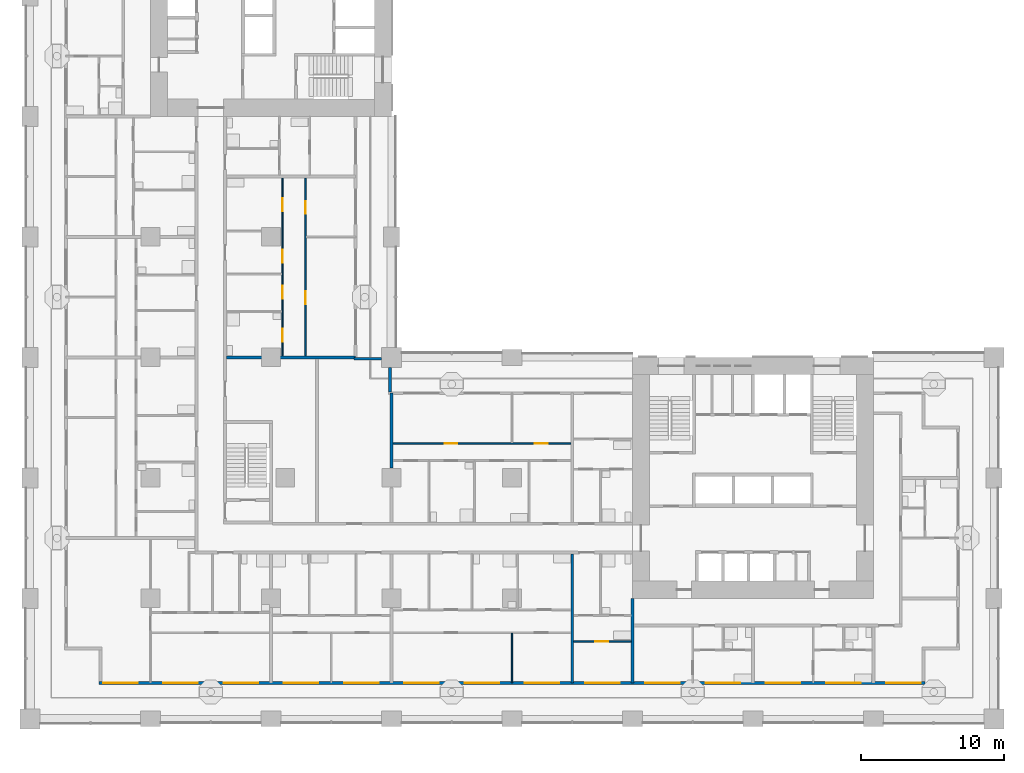
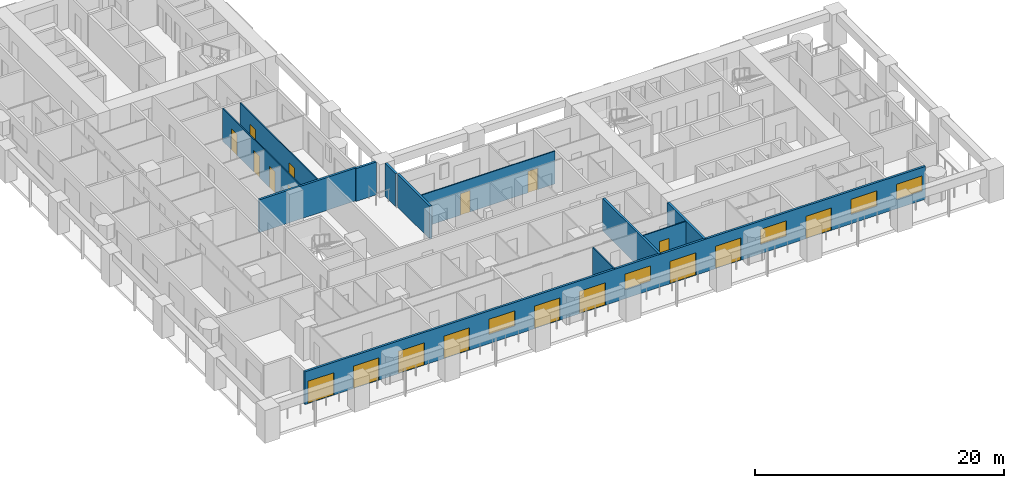
# One storey, part 5 of 22: 18 doors, 12 walls, 5 windows, 23 openings.
"""IFC4 building model written with IfcOpenShell, lengths in metres."""

import ifcopenshell
import ifcopenshell.guid

model = None  # the IFC model being written
_history = None  # IfcOwnerHistory: only IFC2X3 demands one
_inside = {}  # id of a spatial element -> (the spatial element, [elements in it])
_under = {}  # id of a project, library or spatial element -> (it, [spatial elements below it])
_declared = {}  # id of a project -> (the project, [libraries it declares])
_typed = {}  # id of a type object -> (the type object, [elements of that type])
_made_of = {}  # id of a material, layer set ... -> (it, [elements and type objects made of it])


def new_model(schema):
    """Start an empty IFC model of exactly this schema.

    Asked for "IFC4X3", IfcOpenShell would pick the latest addendum, in which some entities
    have other attributes; the version numbers below select the first issue.
    IFC2X3 requires an IfcOwnerHistory on every rooted entity: one is made here for all.
    """
    global model, _history
    if schema == "IFC4X3":
        model = ifcopenshell.file(schema_version=(4, 3, 0, 0))
    else:
        model = ifcopenshell.file(schema=schema)
    _inside.clear()
    _under.clear()
    _declared.clear()
    _typed.clear()
    _made_of.clear()
    _history = None
    if model.schema == "IFC2X3":
        org = make("IfcOrganization", Name="unknown")
        user = make(
            "IfcPersonAndOrganization",
            ThePerson=make("IfcPerson", FamilyName="unknown"),
            TheOrganization=org,
        )
        app = make(
            "IfcApplication",
            ApplicationDeveloper=org,
            Version="unknown",
            ApplicationFullName="unknown",
            ApplicationIdentifier="unknown",
        )
        _history = make(
            "IfcOwnerHistory",
            OwningUser=user,
            OwningApplication=app,
            ChangeAction="ADDED",
            CreationDate=0,
        )
    return model


def make(cls, **values):
    """One entity of the class cls with the attributes given. An attribute that is None is left unset."""
    return model.create_entity(
        cls, **{name: value for name, value in values.items() if value is not None}
    )


def rooted(cls, **values):
    """An entity with a GlobalId (a new one), such as an element, a storey or a relation."""
    return make(cls, GlobalId=ifcopenshell.guid.new(), OwnerHistory=_history, **values)


def si_unit(unit_type, name, prefix=None):
    """IfcSIUnit, for example si_unit("LENGTHUNIT", "METRE", prefix="MILLI")."""
    return make("IfcSIUnit", UnitType=unit_type, Prefix=prefix, Name=name)


def assignment(units):
    """IfcUnitAssignment: the units of a project."""
    return None if units is None else make("IfcUnitAssignment", Units=units)


def point(xyz):
    """IfcCartesianPoint."""
    return None if xyz is None else make("IfcCartesianPoint", Coordinates=xyz)


def direction(xyz):
    """IfcDirection."""
    return None if xyz is None else make("IfcDirection", DirectionRatios=xyz)


def frame(location, z_axis=None, x_axis=None):
    """IfcAxis2Placement3D, a coordinate frame: its origin and axes. An axis left out is left unset."""
    return make(
        "IfcAxis2Placement3D",
        Location=point(location),
        Axis=direction(z_axis),
        RefDirection=direction(x_axis),
    )


def frame_2d(location, x_axis=None):
    """IfcAxis2Placement2D, a coordinate frame in the plane: its origin and x axis."""
    return make(
        "IfcAxis2Placement2D", Location=point(location), RefDirection=direction(x_axis)
    )


def origin():
    """The frame at (0, 0, 0) with its axes left unset."""
    return frame((0.0, 0.0, 0.0))


def place(relative_to, where):
    """IfcLocalPlacement: puts the frame where relative to a parent placement (None: the world)."""
    return make(
        "IfcLocalPlacement", PlacementRelTo=relative_to, RelativePlacement=where
    )


def context(
    kind, dimensions, precision=None, world=None, true_north=None, identifier=None
):
    """IfcGeometricRepresentationContext, for example the 3D "Model" context."""
    return make(
        "IfcGeometricRepresentationContext",
        ContextIdentifier=identifier,
        ContextType=kind,
        CoordinateSpaceDimension=dimensions,
        Precision=precision,
        WorldCoordinateSystem=world,
        TrueNorth=true_north,
    )


def subcontext(parent, identifier, kind, view, scale=None):
    """IfcGeometricRepresentationSubContext, for example "Body" below "Model"."""
    return make(
        "IfcGeometricRepresentationSubContext",
        ContextIdentifier=identifier,
        ContextType=kind,
        ParentContext=parent,
        TargetScale=scale,
        TargetView=view,
    )


def project(units=None, contexts=None):
    """IfcProject with its units and contexts."""
    return rooted(
        "IfcProject",
        Name="project",
        RepresentationContexts=contexts,
        UnitsInContext=assignment(units),
    )


def spatial(cls, under=None, at=None, **own):
    """A site, building, storey or space (cls), placed at a placement, below another one or the project."""
    s = rooted(cls, ObjectPlacement=at, **own)
    if under is not None:
        _under.setdefault(under.id(), (under, []))[1].append(s)
    return s


def profile(cls, at=None, kind="AREA", **sizes):
    """A parametric profile (cls). Its sizes go by their IFC names, for example OverallWidth=200.0."""
    return make(cls, ProfileType=kind, Position=at, **sizes)


def rectangle(**sizes):
    """IfcRectangleProfileDef."""
    return profile("IfcRectangleProfileDef", **sizes)


def extrude(swept, where, along, depth):
    """IfcExtrudedAreaSolid: the profile swept, set in the frame where, extruded along a direction by depth."""
    return make(
        "IfcExtrudedAreaSolid",
        SweptArea=swept,
        Position=where,
        ExtrudedDirection=direction(along),
        Depth=depth,
    )


def shape(context_of_items, identifier, shape_type, items):
    """IfcShapeRepresentation: the items that make up one representation, for example the "Body"."""
    return make(
        "IfcShapeRepresentation",
        ContextOfItems=context_of_items,
        RepresentationIdentifier=identifier,
        RepresentationType=shape_type,
        Items=items,
    )


def material(Name=None, Category=None):
    """IfcMaterial."""
    return make("IfcMaterial", Name=Name, Category=Category)


def layer(
    of_material, thickness, ventilated=None, Name=None, Category=None, Priority=None
):
    """IfcMaterialLayer: one layer of a wall or slab, of a material (None: an air gap)."""
    return make(
        "IfcMaterialLayer",
        Material=of_material,
        LayerThickness=thickness,
        IsVentilated=ventilated,
        Name=Name,
        Category=Category,
        Priority=Priority,
    )


def layer_set(layers, Name=None):
    """IfcMaterialLayerSet."""
    return make("IfcMaterialLayerSet", MaterialLayers=layers, LayerSetName=Name)


def made_of(thing, what):
    """Note that an element or type object is made of a material, layer set ...; save() writes the relation."""
    if what is not None:
        _made_of.setdefault(what.id(), (what, []))[1].append(thing)
    return thing


def type_object(cls, material=None, **own):
    """A type object (cls), such as IfcWallType, which elements share."""
    return made_of(rooted(cls, **own), material)


def element(
    cls,
    number,
    at=None,
    inside=None,
    cuts=None,
    type_object=None,
    material=None,
    context=None,
    identifier="Body",
    shape_type=None,
    held_by="IfcProductDefinitionShape",
    body=None,
    shapes=None,
    **own,
):
    """One element of the class cls, such as IfcWall. Its Tag is "e" and its number.

    at: its placement. inside: the storey or other place that contains it. cuts: it is an
    opening in that element (IfcRelVoidsElement). A single representation is given by context,
    identifier, shape_type and body (its items); several are given by shapes. held_by: the class
    of the entity that holds the representations. save() writes the other relations.
    """
    e = rooted(cls, Tag="e%d" % number, ObjectPlacement=at, **own)
    if body is not None:
        shapes = [shape(context, identifier, shape_type, body)]
    if shapes is not None:
        e.Representation = make(held_by, Representations=shapes)
    if inside is not None:
        _inside.setdefault(inside.id(), (inside, []))[1].append(e)
    if cuts is not None:
        rooted(
            "IfcRelVoidsElement", RelatingBuildingElement=cuts, RelatedOpeningElement=e
        )
    if type_object is not None:
        _typed.setdefault(type_object.id(), (type_object, []))[1].append(e)
    return made_of(e, material)


def fill(opening, filler):
    """IfcRelFillsElement: the door or window that sits in an opening."""
    return rooted(
        "IfcRelFillsElement",
        RelatingOpeningElement=opening,
        RelatedBuildingElement=filler,
    )


def aggregate(whole, parts):
    """IfcRelAggregates: a whole, such as a stair, and the parts it consists of."""
    return rooted("IfcRelAggregates", RelatingObject=whole, RelatedObjects=parts)


def save(model, path):
    """Write the relations noted so far, then the file.

    IfcRelAggregates (storeys below a building ...), IfcRelContainedInSpatialStructure (elements
    in a storey), IfcRelDefinesByType, IfcRelAssociatesMaterial and IfcRelDeclares: one each for
    every whole, place, type object, material and project.
    """
    for whole, parts in _under.values():
        aggregate(whole, parts)
    for where, things in _inside.values():
        rooted(
            "IfcRelContainedInSpatialStructure",
            RelatedElements=things,
            RelatingStructure=where,
        )
    for kind, things in _typed.values():
        rooted("IfcRelDefinesByType", RelatedObjects=things, RelatingType=kind)
    for what, things in _made_of.values():
        rooted("IfcRelAssociatesMaterial", RelatedObjects=things, RelatingMaterial=what)
    for by, libraries in _declared.values():
        rooted("IfcRelDeclares", RelatingContext=by, RelatedDefinitions=libraries)
    model.write(path)


model = new_model("IFC4")

# Units and contexts
model_context = context("Model", 3, precision=1e-05, world=origin(), true_north=direction((0.0, 1.0)))
body_context = subcontext(model_context, "Body", "Model", "MODEL_VIEW")
ifc_project = project(units=[si_unit("LENGTHUNIT", "METRE"), si_unit("AREAUNIT", "SQUARE_METRE"), si_unit("VOLUMEUNIT", "CUBIC_METRE"), si_unit("PLANEANGLEUNIT", "RADIAN"), si_unit("MASSUNIT", "GRAM", prefix="KILO")], contexts=[model_context])

# Site, building, storey
site_placement = place(None, origin())
site = spatial("IfcSite", under=ifc_project, at=site_placement, CompositionType="ELEMENT")
building_placement = place(site_placement, origin())
building = spatial("IfcBuilding", under=site, at=building_placement, Name="Vermilion Gate Residences", CompositionType="ELEMENT")
storey_placement = place(building_placement, frame((0.0, 0.0, 56.699951171875)))
storey = spatial("IfcBuildingStorey", under=building, at=storey_placement, Name="L13", CompositionType="ELEMENT", Elevation=56.699951171875)

# Wall, openings, doors, windows
ifc_material_1 = material(Name="Insulated steel stud wall with terracotta rainscreen", Category="masonry")
ifc_layer_1 = layer(ifc_material_1, 0.199951171875)
ifc_layer_set_1 = layer_set([ifc_layer_1], Name="EXTERNAL WALL 200 TERRACOTTA RAINSCREEN")
wall_type_1 = type_object("IfcWallType", Name="EXTERNAL WALL 200 TERRACOTTA RAINSCREEN", PredefinedType="SOLIDWALL", material=ifc_layer_set_1)
wall_1_placement = place(storey_placement, frame((4.800048828125, 2.5, 0.0), z_axis=(0.0, 0.0, 1.0), x_axis=(1.0, 0.0, 0.0)))
wall_1 = element("IfcWall", 1, at=wall_1_placement, inside=storey, type_object=wall_type_1, Name="External wall", PredefinedType="SOLIDWALL", context=body_context, shape_type="SweptSolid", body=[
    extrude(rectangle(XDim=57.599853515625, YDim=0.199951171875, at=frame_2d((28.7998046875, 0.0))), origin(), (0.0, 0.0, 1.0), 3.219970703125),
])
opening_1_placement = place(wall_1_placement, frame((0.300048828125, 0.0, 0.0)))
opening_1 = element("IfcOpeningElement", 2, at=opening_1_placement, cuts=wall_1, Name="Opening DE13014", PredefinedType="OPENING", context=body_context, shape_type="SweptSolid", body=[
    extrude(rectangle(XDim=2.39990234375, YDim=2.199951171875, at=frame_2d((1.199951171875, 1.10009765625))), frame((0.0, 0.10986328125, 0.0), z_axis=(0.0, -1.0, 0.0), x_axis=(1.0, 0.0, 0.0)), (0.0, 0.0, 1.0), 0.219970703125),
])
opening_2_placement = place(wall_1_placement, frame((4.5, 0.0, 0.0)))
opening_2 = element("IfcOpeningElement", 3, at=opening_2_placement, cuts=wall_1, Name="Opening DE13015", PredefinedType="OPENING", context=body_context, shape_type="SweptSolid", body=[
    extrude(rectangle(XDim=2.39990234375, YDim=2.199951171875, at=frame_2d((1.199951171875, 1.10009765625))), frame((0.0, 0.10986328125, 0.0), z_axis=(0.0, -1.0, 0.0), x_axis=(1.0, 0.0, 0.0)), (0.0, 0.0, 1.0), 0.219970703125),
])
opening_3_placement = place(wall_1_placement, frame((8.699951171875, 0.0, 0.0)))
opening_3 = element("IfcOpeningElement", 4, at=opening_3_placement, cuts=wall_1, Name="Opening DE13016", PredefinedType="OPENING", context=body_context, shape_type="SweptSolid", body=[
    extrude(rectangle(XDim=2.39990234375, YDim=2.199951171875, at=frame_2d((1.199951171875, 1.10009765625))), frame((0.0, 0.10986328125, 0.0), z_axis=(0.0, -1.0, 0.0), x_axis=(1.0, 0.0, 0.0)), (0.0, 0.0, 1.0), 0.219970703125),
])
opening_4_placement = place(wall_1_placement, frame((12.89990234375, 0.0, 0.0)))
opening_4 = element("IfcOpeningElement", 5, at=opening_4_placement, cuts=wall_1, Name="Opening DE13017", PredefinedType="OPENING", context=body_context, shape_type="SweptSolid", body=[
    extrude(rectangle(XDim=2.39990234375, YDim=2.199951171875, at=frame_2d((1.199951171875, 1.10009765625))), frame((0.0, 0.10986328125, 0.0), z_axis=(0.0, -1.0, 0.0), x_axis=(1.0, 0.0, 0.0)), (0.0, 0.0, 1.0), 0.219970703125),
])
opening_5_placement = place(wall_1_placement, frame((17.10009765625, 0.0, 0.89990234375)))
opening_5 = element("IfcOpeningElement", 6, at=opening_5_placement, cuts=wall_1, Name="Opening WE13018", PredefinedType="OPENING", context=body_context, shape_type="SweptSolid", body=[
    extrude(rectangle(XDim=2.39990234375, YDim=1.5, at=frame_2d((1.199951171875, 0.75))), frame((0.0, 0.10986328125, 0.0), z_axis=(0.0, -1.0, 0.0), x_axis=(1.0, 0.0, 0.0)), (0.0, 0.0, 1.0), 0.219970703125),
])
opening_6_placement = place(wall_1_placement, frame((21.300048828125, 0.0, 0.0)))
opening_6 = element("IfcOpeningElement", 7, at=opening_6_placement, cuts=wall_1, Name="Opening DE13019", PredefinedType="OPENING", context=body_context, shape_type="SweptSolid", body=[
    extrude(rectangle(XDim=2.39990234375, YDim=2.199951171875, at=frame_2d((1.199951171875, 1.10009765625))), frame((0.0, 0.10986328125, 0.0), z_axis=(0.0, -1.0, 0.0), x_axis=(1.0, 0.0, 0.0)), (0.0, 0.0, 1.0), 0.219970703125),
])
opening_7_placement = place(wall_1_placement, frame((25.5, 0.0, 0.0)))
opening_7 = element("IfcOpeningElement", 8, at=opening_7_placement, cuts=wall_1, Name="Opening DE13020", PredefinedType="OPENING", context=body_context, shape_type="SweptSolid", body=[
    extrude(rectangle(XDim=2.39990234375, YDim=2.199951171875, at=frame_2d((1.199951171875, 1.10009765625))), frame((0.0, 0.10986328125, 0.0), z_axis=(0.0, -1.0, 0.0), x_axis=(1.0, 0.0, 0.0)), (0.0, 0.0, 1.0), 0.219970703125),
])
opening_8_placement = place(wall_1_placement, frame((29.699951171875, 0.0, 0.89990234375)))
opening_8 = element("IfcOpeningElement", 9, at=opening_8_placement, cuts=wall_1, Name="Opening WE13021", PredefinedType="OPENING", context=body_context, shape_type="SweptSolid", body=[
    extrude(rectangle(XDim=2.39990234375, YDim=1.5, at=frame_2d((1.199951171875, 0.75))), frame((0.0, 0.10986328125, 0.0), z_axis=(0.0, -1.0, 0.0), x_axis=(1.0, 0.0, 0.0)), (0.0, 0.0, 1.0), 0.219970703125),
])
opening_9_placement = place(wall_1_placement, frame((33.89990234375, 0.0, 0.0)))
opening_9 = element("IfcOpeningElement", 10, at=opening_9_placement, cuts=wall_1, Name="Opening DE13022", PredefinedType="OPENING", context=body_context, shape_type="SweptSolid", body=[
    extrude(rectangle(XDim=2.39990234375, YDim=2.199951171875, at=frame_2d((1.199951171875, 1.10009765625))), frame((0.0, 0.10986328125, 0.0), z_axis=(0.0, -1.0, 0.0), x_axis=(1.0, 0.0, 0.0)), (0.0, 0.0, 1.0), 0.219970703125),
])
opening_10_placement = place(wall_1_placement, frame((38.10009765625, 0.0, 0.0)))
opening_10 = element("IfcOpeningElement", 11, at=opening_10_placement, cuts=wall_1, Name="Opening DE13023", PredefinedType="OPENING", context=body_context, shape_type="SweptSolid", body=[
    extrude(rectangle(XDim=2.39990234375, YDim=2.199951171875, at=frame_2d((1.199951171875, 1.10009765625))), frame((0.0, 0.10986328125, 0.0), z_axis=(0.0, -1.0, 0.0), x_axis=(1.0, 0.0, 0.0)), (0.0, 0.0, 1.0), 0.219970703125),
])
opening_11_placement = place(wall_1_placement, frame((42.300048828125, 0.0, 0.89990234375)))
opening_11 = element("IfcOpeningElement", 12, at=opening_11_placement, cuts=wall_1, Name="Opening WE13024", PredefinedType="OPENING", context=body_context, shape_type="SweptSolid", body=[
    extrude(rectangle(XDim=2.39990234375, YDim=1.5, at=frame_2d((1.199951171875, 0.75))), frame((0.0, 0.10986328125, 0.0), z_axis=(0.0, -1.0, 0.0), x_axis=(1.0, 0.0, 0.0)), (0.0, 0.0, 1.0), 0.219970703125),
])
opening_12_placement = place(wall_1_placement, frame((46.5, 0.0, 0.0)))
opening_12 = element("IfcOpeningElement", 13, at=opening_12_placement, cuts=wall_1, Name="Opening DE13025", PredefinedType="OPENING", context=body_context, shape_type="SweptSolid", body=[
    extrude(rectangle(XDim=2.39990234375, YDim=2.199951171875, at=frame_2d((1.199951171875, 1.10009765625))), frame((0.0, 0.10986328125, 0.0), z_axis=(0.0, -1.0, 0.0), x_axis=(1.0, 0.0, 0.0)), (0.0, 0.0, 1.0), 0.219970703125),
])
opening_13_placement = place(wall_1_placement, frame((50.699951171875, 0.0, 0.89990234375)))
opening_13 = element("IfcOpeningElement", 14, at=opening_13_placement, cuts=wall_1, Name="Opening WE13026", PredefinedType="OPENING", context=body_context, shape_type="SweptSolid", body=[
    extrude(rectangle(XDim=2.39990234375, YDim=1.5, at=frame_2d((1.199951171875, 0.75))), frame((0.0, 0.10986328125, 0.0), z_axis=(0.0, -1.0, 0.0), x_axis=(1.0, 0.0, 0.0)), (0.0, 0.0, 1.0), 0.219970703125),
])
opening_14_placement = place(wall_1_placement, frame((54.89990234375, 0.0, 0.89990234375)))
opening_14 = element("IfcOpeningElement", 15, at=opening_14_placement, cuts=wall_1, Name="Opening WE13027", PredefinedType="OPENING", context=body_context, shape_type="SweptSolid", body=[
    extrude(rectangle(XDim=2.39990234375, YDim=1.5, at=frame_2d((1.199951171875, 0.75))), frame((0.0, 0.10986328125, 0.0), z_axis=(0.0, -1.0, 0.0), x_axis=(1.0, 0.0, 0.0)), (0.0, 0.0, 1.0), 0.219970703125),
])
ifc_material_2 = material(Name="Aluminium and clear glass", Category="aluminium")
door_type_1 = type_object("IfcDoorType", Name="SLIDING GLAZED DOOR 2400 X 2200", OperationType="DOUBLE_DOOR_SLIDING", PredefinedType="DOOR", material=ifc_material_2)
door_1_placement = place(opening_1_placement, origin())
door_1 = element("IfcDoor", 16, at=door_1_placement, inside=storey, type_object=door_type_1, Name="Loggia sliding door", OperationType="DOUBLE_DOOR_SLIDING", OverallHeight=2.199951171875, OverallWidth=2.39990234375, PredefinedType="DOOR", context=body_context, shape_type="SweptSolid", body=[
    extrude(rectangle(XDim=2.39990234375, YDim=2.199951171875, at=frame_2d((1.199951171875, 1.10009765625))), frame((0.0, 0.02490234375, 0.0), z_axis=(0.0, -1.0, 0.0), x_axis=(1.0, 0.0, 0.0)), (0.0, 0.0, 1.0), 0.050048828125),
])
fill(opening_1, door_1)
door_2_placement = place(opening_2_placement, origin())
door_2 = element("IfcDoor", 17, at=door_2_placement, inside=storey, type_object=door_type_1, Name="Loggia sliding door", OperationType="DOUBLE_DOOR_SLIDING", OverallHeight=2.199951171875, OverallWidth=2.39990234375, PredefinedType="DOOR", context=body_context, shape_type="SweptSolid", body=[
    extrude(rectangle(XDim=2.39990234375, YDim=2.199951171875, at=frame_2d((1.199951171875, 1.10009765625))), frame((0.0, 0.02490234375, 0.0), z_axis=(0.0, -1.0, 0.0), x_axis=(1.0, 0.0, 0.0)), (0.0, 0.0, 1.0), 0.050048828125),
])
fill(opening_2, door_2)
door_3_placement = place(opening_3_placement, origin())
door_3 = element("IfcDoor", 18, at=door_3_placement, inside=storey, type_object=door_type_1, Name="Loggia sliding door", OperationType="DOUBLE_DOOR_SLIDING", OverallHeight=2.199951171875, OverallWidth=2.39990234375, PredefinedType="DOOR", context=body_context, shape_type="SweptSolid", body=[
    extrude(rectangle(XDim=2.39990234375, YDim=2.199951171875, at=frame_2d((1.199951171875, 1.10009765625))), frame((0.0, 0.02490234375, 0.0), z_axis=(0.0, -1.0, 0.0), x_axis=(1.0, 0.0, 0.0)), (0.0, 0.0, 1.0), 0.050048828125),
])
fill(opening_3, door_3)
door_4_placement = place(opening_4_placement, origin())
door_4 = element("IfcDoor", 19, at=door_4_placement, inside=storey, type_object=door_type_1, Name="Loggia sliding door", OperationType="DOUBLE_DOOR_SLIDING", OverallHeight=2.199951171875, OverallWidth=2.39990234375, PredefinedType="DOOR", context=body_context, shape_type="SweptSolid", body=[
    extrude(rectangle(XDim=2.39990234375, YDim=2.199951171875, at=frame_2d((1.199951171875, 1.10009765625))), frame((0.0, 0.02490234375, 0.0), z_axis=(0.0, -1.0, 0.0), x_axis=(1.0, 0.0, 0.0)), (0.0, 0.0, 1.0), 0.050048828125),
])
fill(opening_4, door_4)
door_5_placement = place(opening_6_placement, origin())
door_5 = element("IfcDoor", 20, at=door_5_placement, inside=storey, type_object=door_type_1, Name="Loggia sliding door", OperationType="DOUBLE_DOOR_SLIDING", OverallHeight=2.199951171875, OverallWidth=2.39990234375, PredefinedType="DOOR", context=body_context, shape_type="SweptSolid", body=[
    extrude(rectangle(XDim=2.39990234375, YDim=2.199951171875, at=frame_2d((1.199951171875, 1.10009765625))), frame((0.0, 0.02490234375, 0.0), z_axis=(0.0, -1.0, 0.0), x_axis=(1.0, 0.0, 0.0)), (0.0, 0.0, 1.0), 0.050048828125),
])
fill(opening_6, door_5)
door_6_placement = place(opening_7_placement, origin())
door_6 = element("IfcDoor", 21, at=door_6_placement, inside=storey, type_object=door_type_1, Name="Loggia sliding door", OperationType="DOUBLE_DOOR_SLIDING", OverallHeight=2.199951171875, OverallWidth=2.39990234375, PredefinedType="DOOR", context=body_context, shape_type="SweptSolid", body=[
    extrude(rectangle(XDim=2.39990234375, YDim=2.199951171875, at=frame_2d((1.199951171875, 1.10009765625))), frame((0.0, 0.02490234375, 0.0), z_axis=(0.0, -1.0, 0.0), x_axis=(1.0, 0.0, 0.0)), (0.0, 0.0, 1.0), 0.050048828125),
])
fill(opening_7, door_6)
door_7_placement = place(opening_9_placement, origin())
door_7 = element("IfcDoor", 22, at=door_7_placement, inside=storey, type_object=door_type_1, Name="Loggia sliding door", OperationType="DOUBLE_DOOR_SLIDING", OverallHeight=2.199951171875, OverallWidth=2.39990234375, PredefinedType="DOOR", context=body_context, shape_type="SweptSolid", body=[
    extrude(rectangle(XDim=2.39990234375, YDim=2.199951171875, at=frame_2d((1.199951171875, 1.10009765625))), frame((0.0, 0.02490234375, 0.0), z_axis=(0.0, -1.0, 0.0), x_axis=(1.0, 0.0, 0.0)), (0.0, 0.0, 1.0), 0.050048828125),
])
fill(opening_9, door_7)
door_8_placement = place(opening_10_placement, origin())
door_8 = element("IfcDoor", 23, at=door_8_placement, inside=storey, type_object=door_type_1, Name="Loggia sliding door", OperationType="DOUBLE_DOOR_SLIDING", OverallHeight=2.199951171875, OverallWidth=2.39990234375, PredefinedType="DOOR", context=body_context, shape_type="SweptSolid", body=[
    extrude(rectangle(XDim=2.39990234375, YDim=2.199951171875, at=frame_2d((1.199951171875, 1.10009765625))), frame((0.0, 0.02490234375, 0.0), z_axis=(0.0, -1.0, 0.0), x_axis=(1.0, 0.0, 0.0)), (0.0, 0.0, 1.0), 0.050048828125),
])
fill(opening_10, door_8)
door_9_placement = place(opening_12_placement, origin())
door_9 = element("IfcDoor", 24, at=door_9_placement, inside=storey, type_object=door_type_1, Name="Loggia sliding door", OperationType="DOUBLE_DOOR_SLIDING", OverallHeight=2.199951171875, OverallWidth=2.39990234375, PredefinedType="DOOR", context=body_context, shape_type="SweptSolid", body=[
    extrude(rectangle(XDim=2.39990234375, YDim=2.199951171875, at=frame_2d((1.199951171875, 1.10009765625))), frame((0.0, 0.02490234375, 0.0), z_axis=(0.0, -1.0, 0.0), x_axis=(1.0, 0.0, 0.0)), (0.0, 0.0, 1.0), 0.050048828125),
])
fill(opening_12, door_9)
ifc_material_3 = material(Name="Aluminium and clear glass", Category="aluminium")
window_type = type_object("IfcWindowType", Name="WINDOW 2400 X 1500", PartitioningType="SINGLE_PANEL", PredefinedType="WINDOW", material=ifc_material_3)
window_1_placement = place(opening_5_placement, origin())
window_1 = element("IfcWindow", 25, at=window_1_placement, inside=storey, type_object=window_type, Name="Window", OverallHeight=1.5, OverallWidth=2.39990234375, PartitioningType="SINGLE_PANEL", PredefinedType="WINDOW", context=body_context, shape_type="SweptSolid", body=[
    extrude(rectangle(XDim=2.39990234375, YDim=1.5, at=frame_2d((1.199951171875, 0.75))), frame((0.0, 0.030029296875, 0.0), z_axis=(0.0, -1.0, 0.0), x_axis=(1.0, 0.0, 0.0)), (0.0, 0.0, 1.0), 0.06005859375),
])
fill(opening_5, window_1)
window_2_placement = place(opening_8_placement, origin())
window_2 = element("IfcWindow", 26, at=window_2_placement, inside=storey, type_object=window_type, Name="Window", OverallHeight=1.5, OverallWidth=2.39990234375, PartitioningType="SINGLE_PANEL", PredefinedType="WINDOW", context=body_context, shape_type="SweptSolid", body=[
    extrude(rectangle(XDim=2.39990234375, YDim=1.5, at=frame_2d((1.199951171875, 0.75))), frame((0.0, 0.030029296875, 0.0), z_axis=(0.0, -1.0, 0.0), x_axis=(1.0, 0.0, 0.0)), (0.0, 0.0, 1.0), 0.06005859375),
])
fill(opening_8, window_2)
window_3_placement = place(opening_11_placement, origin())
window_3 = element("IfcWindow", 27, at=window_3_placement, inside=storey, type_object=window_type, Name="Window", OverallHeight=1.5, OverallWidth=2.39990234375, PartitioningType="SINGLE_PANEL", PredefinedType="WINDOW", context=body_context, shape_type="SweptSolid", body=[
    extrude(rectangle(XDim=2.39990234375, YDim=1.5, at=frame_2d((1.199951171875, 0.75))), frame((0.0, 0.030029296875, 0.0), z_axis=(0.0, -1.0, 0.0), x_axis=(1.0, 0.0, 0.0)), (0.0, 0.0, 1.0), 0.06005859375),
])
fill(opening_11, window_3)
window_4_placement = place(opening_13_placement, origin())
window_4 = element("IfcWindow", 28, at=window_4_placement, inside=storey, type_object=window_type, Name="Window", OverallHeight=1.5, OverallWidth=2.39990234375, PartitioningType="SINGLE_PANEL", PredefinedType="WINDOW", context=body_context, shape_type="SweptSolid", body=[
    extrude(rectangle(XDim=2.39990234375, YDim=1.5, at=frame_2d((1.199951171875, 0.75))), frame((0.0, 0.030029296875, 0.0), z_axis=(0.0, -1.0, 0.0), x_axis=(1.0, 0.0, 0.0)), (0.0, 0.0, 1.0), 0.06005859375),
])
fill(opening_13, window_4)
window_5_placement = place(opening_14_placement, origin())
window_5 = element("IfcWindow", 29, at=window_5_placement, inside=storey, type_object=window_type, Name="Window", OverallHeight=1.5, OverallWidth=2.39990234375, PartitioningType="SINGLE_PANEL", PredefinedType="WINDOW", context=body_context, shape_type="SweptSolid", body=[
    extrude(rectangle(XDim=2.39990234375, YDim=1.5, at=frame_2d((1.199951171875, 0.75))), frame((0.0, 0.030029296875, 0.0), z_axis=(0.0, -1.0, 0.0), x_axis=(1.0, 0.0, 0.0)), (0.0, 0.0, 1.0), 0.06005859375),
])
fill(opening_14, window_5)

# Walls
wall_2_placement = place(storey_placement, frame((25.10009765625, 22.800048828125, 0.0), z_axis=(0.0, 0.0, 1.0), x_axis=(0.0, 1.0, 0.0)))
element("IfcWall", 30, at=wall_2_placement, inside=storey, type_object=wall_type_1, Name="External wall", PredefinedType="SOLIDWALL", context=body_context, shape_type="SweptSolid", body=[
    extrude(rectangle(XDim=1.699951171875, YDim=0.199951171875, at=frame_2d((0.85009765625, 0.0))), origin(), (0.0, 0.0, 1.0), 3.219970703125),
])
wall_3_placement = place(storey_placement, frame((24.5, 25.10009765625, 0.0), z_axis=(0.0, 0.0, 1.0), x_axis=(-1.0, 0.0, 0.0)))
element("IfcWall", 31, at=wall_3_placement, inside=storey, type_object=wall_type_1, Name="External wall", PredefinedType="SOLIDWALL", context=body_context, shape_type="SweptSolid", body=[
    extrude(rectangle(XDim=1.89990234375, YDim=0.199951171875, at=frame_2d((0.949951171875, 0.0))), origin(), (0.0, 0.0, 1.0), 3.219970703125),
])

# Wall, opening, door
ifc_material_4 = material(Name="Plasterboard on steel studs", Category="steel")
ifc_layer_2 = layer(ifc_material_4, 0.10009765625)
ifc_layer_set_2 = layer_set([ifc_layer_2], Name="PARTITION 100")
wall_type_2 = type_object("IfcWallType", Name="PARTITION 100", PredefinedType="PARTITIONING", material=ifc_layer_set_2)
wall_4_placement = place(storey_placement, frame((37.89990234375, 5.39990234375, 0.0), z_axis=(0.0, 0.0, 1.0), x_axis=(1.0, 0.0, 0.0)))
wall_4 = element("IfcWall", 32, at=wall_4_placement, inside=storey, type_object=wall_type_2, Name="Partition", PredefinedType="PARTITIONING", context=body_context, shape_type="SweptSolid", body=[
    extrude(rectangle(XDim=4.0, YDim=0.10009765625, at=frame_2d((2.0, 0.0))), origin(), (0.0, 0.0, 1.0), 3.219970703125),
])
opening_15_placement = place(wall_4_placement, frame((1.5, 0.0, 0.0)))
opening_15 = element("IfcOpeningElement", 33, at=opening_15_placement, cuts=wall_4, Name="Opening DA13005", PredefinedType="OPENING", context=body_context, shape_type="SweptSolid", body=[
    extrude(rectangle(XDim=0.89990234375, YDim=2.10009765625, at=frame_2d((0.449951171875, 1.050048828125))), frame((0.0, 0.06005859375, 0.0), z_axis=(0.0, -1.0, 0.0), x_axis=(1.0, 0.0, 0.0)), (0.0, 0.0, 1.0), 0.1201171875),
])
ifc_material_5 = material(Name="Timber", Category="wood")
door_type_2 = type_object("IfcDoorType", Name="INTERIOR DOOR 900 X 2100", OperationType="SINGLE_SWING_LEFT", PredefinedType="DOOR", material=ifc_material_5)
door_10_placement = place(opening_15_placement, origin())
door_10 = element("IfcDoor", 34, at=door_10_placement, inside=storey, type_object=door_type_2, Name="Interior door", OperationType="SINGLE_SWING_RIGHT", OverallHeight=2.10009765625, OverallWidth=0.89990234375, PredefinedType="DOOR", context=body_context, shape_type="SweptSolid", body=[
    extrude(rectangle(XDim=0.89990234375, YDim=2.10009765625, at=frame_2d((0.449951171875, 1.050048828125))), frame((0.0, 0.02490234375, 0.0), z_axis=(0.0, -1.0, 0.0), x_axis=(1.0, 0.0, 0.0)), (0.0, 0.0, 1.0), 0.050048828125),
])
fill(opening_15, door_10)

# Wall, openings, doors
wall_5_placement = place(storey_placement, frame((25.300048828125, 19.199951171875, 0.0), z_axis=(0.0, 0.0, 1.0), x_axis=(1.0, 0.0, 0.0)))
wall_5 = element("IfcWall", 35, at=wall_5_placement, inside=storey, type_object=wall_type_2, Name="Partition", PredefinedType="PARTITIONING", context=body_context, shape_type="SweptSolid", body=[
    extrude(rectangle(XDim=12.39990234375, YDim=0.10009765625, at=frame_2d((6.199951171875, 0.0))), origin(), (0.0, 0.0, 1.0), 3.219970703125),
])
opening_16_placement = place(wall_5_placement, frame((3.60009765625, 0.0, 0.0)))
opening_16 = element("IfcOpeningElement", 36, at=opening_16_placement, cuts=wall_5, Name="Opening DA13041", PredefinedType="OPENING", context=body_context, shape_type="SweptSolid", body=[
    extrude(rectangle(XDim=0.89990234375, YDim=2.10009765625, at=frame_2d((0.449951171875, 1.050048828125))), frame((0.0, 0.06005859375, 0.0), z_axis=(0.0, -1.0, 0.0), x_axis=(1.0, 0.0, 0.0)), (0.0, 0.0, 1.0), 0.1201171875),
])
opening_17_placement = place(wall_5_placement, frame((9.89990234375, 0.0, 0.0)))
opening_17 = element("IfcOpeningElement", 37, at=opening_17_placement, cuts=wall_5, Name="Opening DA13042", PredefinedType="OPENING", context=body_context, shape_type="SweptSolid", body=[
    extrude(rectangle(XDim=0.89990234375, YDim=2.10009765625, at=frame_2d((0.449951171875, 1.050048828125))), frame((0.0, 0.06005859375, 0.0), z_axis=(0.0, -1.0, 0.0), x_axis=(1.0, 0.0, 0.0)), (0.0, 0.0, 1.0), 0.1201171875),
])
door_11_placement = place(opening_16_placement, origin())
door_11 = element("IfcDoor", 38, at=door_11_placement, inside=storey, type_object=door_type_2, Name="Interior door", OperationType="SINGLE_SWING_LEFT", OverallHeight=2.10009765625, OverallWidth=0.89990234375, PredefinedType="DOOR", context=body_context, shape_type="SweptSolid", body=[
    extrude(rectangle(XDim=0.89990234375, YDim=2.10009765625, at=frame_2d((0.449951171875, 1.050048828125))), frame((0.0, 0.02490234375, 0.0), z_axis=(0.0, -1.0, 0.0), x_axis=(1.0, 0.0, 0.0)), (0.0, 0.0, 1.0), 0.050048828125),
])
fill(opening_16, door_11)
door_12_placement = place(opening_17_placement, origin())
door_12 = element("IfcDoor", 39, at=door_12_placement, inside=storey, type_object=door_type_2, Name="Interior door", OperationType="SINGLE_SWING_LEFT", OverallHeight=2.10009765625, OverallWidth=0.89990234375, PredefinedType="DOOR", context=body_context, shape_type="SweptSolid", body=[
    extrude(rectangle(XDim=0.89990234375, YDim=2.10009765625, at=frame_2d((0.449951171875, 1.050048828125))), frame((0.0, 0.02490234375, 0.0), z_axis=(0.0, -1.0, 0.0), x_axis=(1.0, 0.0, 0.0)), (0.0, 0.0, 1.0), 0.050048828125),
])
fill(opening_17, door_12)

wall_6_placement = place(storey_placement, frame((17.60009765625, 25.300048828125, 0.0), z_axis=(0.0, 0.0, 1.0), x_axis=(0.0, 1.0, 0.0)))
wall_6 = element("IfcWall", 40, at=wall_6_placement, inside=storey, type_object=wall_type_2, Name="Partition", PredefinedType="PARTITIONING", context=body_context, shape_type="SweptSolid", body=[
    extrude(rectangle(XDim=12.39990234375, YDim=0.10009765625, at=frame_2d((6.199951171875, 0.0))), origin(), (0.0, 0.0, 1.0), 3.219970703125),
])
opening_18_placement = place(wall_6_placement, frame((6.5, 0.0, 0.0)))
opening_18 = element("IfcOpeningElement", 41, at=opening_18_placement, cuts=wall_6, Name="Opening DA13074", PredefinedType="OPENING", context=body_context, shape_type="SweptSolid", body=[
    extrude(rectangle(XDim=0.89990234375, YDim=2.10009765625, at=frame_2d((0.449951171875, 1.050048828125))), frame((0.0, 0.06005859375, 0.0), z_axis=(0.0, -1.0, 0.0), x_axis=(1.0, 0.0, 0.0)), (0.0, 0.0, 1.0), 0.1201171875),
])
opening_19_placement = place(wall_6_placement, frame((1.0, 0.0, 0.0)))
opening_19 = element("IfcOpeningElement", 42, at=opening_19_placement, cuts=wall_6, Name="Opening DA13075", PredefinedType="OPENING", context=body_context, shape_type="SweptSolid", body=[
    extrude(rectangle(XDim=0.89990234375, YDim=2.10009765625, at=frame_2d((0.449951171875, 1.050048828125))), frame((0.0, 0.06005859375, 0.0), z_axis=(0.0, -1.0, 0.0), x_axis=(1.0, 0.0, 0.0)), (0.0, 0.0, 1.0), 0.1201171875),
])
opening_20_placement = place(wall_6_placement, frame((4.0, 0.0, 0.0)))
opening_20 = element("IfcOpeningElement", 43, at=opening_20_placement, cuts=wall_6, Name="Opening DA13076", PredefinedType="OPENING", context=body_context, shape_type="SweptSolid", body=[
    extrude(rectangle(XDim=0.89990234375, YDim=2.10009765625, at=frame_2d((0.449951171875, 1.050048828125))), frame((0.0, 0.06005859375, 0.0), z_axis=(0.0, -1.0, 0.0), x_axis=(1.0, 0.0, 0.0)), (0.0, 0.0, 1.0), 0.1201171875),
])
opening_21_placement = place(wall_6_placement, frame((10.10009765625, 0.0, 0.0)))
opening_21 = element("IfcOpeningElement", 44, at=opening_21_placement, cuts=wall_6, Name="Opening DA13077", PredefinedType="OPENING", context=body_context, shape_type="SweptSolid", body=[
    extrude(rectangle(XDim=0.89990234375, YDim=2.10009765625, at=frame_2d((0.449951171875, 1.050048828125))), frame((0.0, 0.06005859375, 0.0), z_axis=(0.0, -1.0, 0.0), x_axis=(1.0, 0.0, 0.0)), (0.0, 0.0, 1.0), 0.1201171875),
])
door_13_placement = place(opening_18_placement, origin())
door_13 = element("IfcDoor", 45, at=door_13_placement, inside=storey, type_object=door_type_2, Name="Interior door", OperationType="SINGLE_SWING_RIGHT", OverallHeight=2.10009765625, OverallWidth=0.89990234375, PredefinedType="DOOR", context=body_context, shape_type="SweptSolid", body=[
    extrude(rectangle(XDim=0.89990234375, YDim=2.10009765625, at=frame_2d((0.449951171875, 1.050048828125))), frame((0.0, 0.02490234375, 0.0), z_axis=(0.0, -1.0, 0.0), x_axis=(1.0, 0.0, 0.0)), (0.0, 0.0, 1.0), 0.050048828125),
])
fill(opening_18, door_13)
door_14_placement = place(opening_19_placement, origin())
door_14 = element("IfcDoor", 46, at=door_14_placement, inside=storey, type_object=door_type_2, Name="Interior door", OperationType="SINGLE_SWING_LEFT", OverallHeight=2.10009765625, OverallWidth=0.89990234375, PredefinedType="DOOR", context=body_context, shape_type="SweptSolid", body=[
    extrude(rectangle(XDim=0.89990234375, YDim=2.10009765625, at=frame_2d((0.449951171875, 1.050048828125))), frame((0.0, 0.02490234375, 0.0), z_axis=(0.0, -1.0, 0.0), x_axis=(1.0, 0.0, 0.0)), (0.0, 0.0, 1.0), 0.050048828125),
])
fill(opening_19, door_14)
door_15_placement = place(opening_20_placement, origin())
door_15 = element("IfcDoor", 47, at=door_15_placement, inside=storey, type_object=door_type_2, Name="Interior door", OperationType="SINGLE_SWING_RIGHT", OverallHeight=2.10009765625, OverallWidth=0.89990234375, PredefinedType="DOOR", context=body_context, shape_type="SweptSolid", body=[
    extrude(rectangle(XDim=0.89990234375, YDim=2.10009765625, at=frame_2d((0.449951171875, 1.050048828125))), frame((0.0, 0.02490234375, 0.0), z_axis=(0.0, -1.0, 0.0), x_axis=(1.0, 0.0, 0.0)), (0.0, 0.0, 1.0), 0.050048828125),
])
fill(opening_20, door_15)
door_16_placement = place(opening_21_placement, origin())
door_16 = element("IfcDoor", 48, at=door_16_placement, inside=storey, type_object=door_type_2, Name="Interior door", OperationType="SINGLE_SWING_LEFT", OverallHeight=2.10009765625, OverallWidth=0.89990234375, PredefinedType="DOOR", context=body_context, shape_type="SweptSolid", body=[
    extrude(rectangle(XDim=0.89990234375, YDim=2.10009765625, at=frame_2d((0.449951171875, 1.050048828125))), frame((0.0, 0.02490234375, 0.0), z_axis=(0.0, -1.0, 0.0), x_axis=(1.0, 0.0, 0.0)), (0.0, 0.0, 1.0), 0.050048828125),
])
fill(opening_21, door_16)

wall_7_placement = place(storey_placement, frame((19.199951171875, 25.300048828125, 0.0), z_axis=(0.0, 0.0, 1.0), x_axis=(0.0, 1.0, 0.0)))
wall_7 = element("IfcWall", 49, at=wall_7_placement, inside=storey, type_object=wall_type_2, Name="Partition", PredefinedType="PARTITIONING", context=body_context, shape_type="SweptSolid", body=[
    extrude(rectangle(XDim=12.39990234375, YDim=0.10009765625, at=frame_2d((6.199951171875, 0.0))), origin(), (0.0, 0.0, 1.0), 3.219970703125),
])
opening_22_placement = place(wall_7_placement, frame((3.60009765625, 0.0, 0.0)))
opening_22 = element("IfcOpeningElement", 50, at=opening_22_placement, cuts=wall_7, Name="Opening DA13078", PredefinedType="OPENING", context=body_context, shape_type="SweptSolid", body=[
    extrude(rectangle(XDim=0.89990234375, YDim=2.10009765625, at=frame_2d((0.449951171875, 1.050048828125))), frame((0.0, 0.06005859375, 0.0), z_axis=(0.0, -1.0, 0.0), x_axis=(1.0, 0.0, 0.0)), (0.0, 0.0, 1.0), 0.1201171875),
])
opening_23_placement = place(wall_7_placement, frame((9.89990234375, 0.0, 0.0)))
opening_23 = element("IfcOpeningElement", 51, at=opening_23_placement, cuts=wall_7, Name="Opening DA13079", PredefinedType="OPENING", context=body_context, shape_type="SweptSolid", body=[
    extrude(rectangle(XDim=0.89990234375, YDim=2.10009765625, at=frame_2d((0.449951171875, 1.050048828125))), frame((0.0, 0.06005859375, 0.0), z_axis=(0.0, -1.0, 0.0), x_axis=(1.0, 0.0, 0.0)), (0.0, 0.0, 1.0), 0.1201171875),
])
door_17_placement = place(opening_22_placement, frame((0.89990234375, 0.0, 0.0), z_axis=(0.0, 0.0, 1.0), x_axis=(-1.0, 0.0, 0.0)))
door_17 = element("IfcDoor", 52, at=door_17_placement, inside=storey, type_object=door_type_2, Name="Interior door", OperationType="SINGLE_SWING_RIGHT", OverallHeight=2.10009765625, OverallWidth=0.89990234375, PredefinedType="DOOR", context=body_context, shape_type="SweptSolid", body=[
    extrude(rectangle(XDim=0.89990234375, YDim=2.10009765625, at=frame_2d((0.449951171875, 1.050048828125))), frame((0.0, 0.02490234375, 0.0), z_axis=(0.0, -1.0, 0.0), x_axis=(1.0, 0.0, 0.0)), (0.0, 0.0, 1.0), 0.050048828125),
])
fill(opening_22, door_17)
door_18_placement = place(opening_23_placement, frame((0.89990234375, 0.0, 0.0), z_axis=(0.0, 0.0, 1.0), x_axis=(-1.0, 0.0, 0.0)))
door_18 = element("IfcDoor", 53, at=door_18_placement, inside=storey, type_object=door_type_2, Name="Interior door", OperationType="SINGLE_SWING_RIGHT", OverallHeight=2.10009765625, OverallWidth=0.89990234375, PredefinedType="DOOR", context=body_context, shape_type="SweptSolid", body=[
    extrude(rectangle(XDim=0.89990234375, YDim=2.10009765625, at=frame_2d((0.449951171875, 1.050048828125))), frame((0.0, 0.02490234375, 0.0), z_axis=(0.0, -1.0, 0.0), x_axis=(1.0, 0.0, 0.0)), (0.0, 0.0, 1.0), 0.050048828125),
])
fill(opening_23, door_18)

# Walls
wall_8_placement = place(storey_placement, frame((33.60009765625, 2.5, 0.0), z_axis=(0.0, 0.0, 1.0), x_axis=(0.0, 1.0, 0.0)))
element("IfcWall", 54, at=wall_8_placement, inside=storey, type_object=wall_type_2, Name="Partition", PredefinedType="PARTITIONING", context=body_context, shape_type="SweptSolid", body=[
    extrude(rectangle(XDim=3.449951171875, YDim=0.10009765625, at=frame_2d((1.72509765625, 0.0))), origin(), (0.0, 0.0, 1.0), 3.219970703125),
])
ifc_material_6 = material(Name="Fire-rated plasterboard on steel studs", Category="steel")
ifc_layer_3 = layer(ifc_material_6, 0.199951171875)
ifc_layer_set_3 = layer_set([ifc_layer_3], Name="PARTY WALL 200 EI 120")
wall_type_3 = type_object("IfcWallType", Name="PARTY WALL 200 EI 120", PredefinedType="PARTITIONING", material=ifc_layer_set_3)
wall_9_placement = place(storey_placement, frame((13.699951171875, 25.199951171875, 0.0), z_axis=(0.0, 0.0, 1.0), x_axis=(1.0, 0.0, 0.0)))
element("IfcWall", 55, at=wall_9_placement, inside=storey, type_object=wall_type_3, Name="Party and corridor wall", PredefinedType="PARTITIONING", context=body_context, shape_type="SweptSolid", body=[
    extrude(rectangle(XDim=9.0, YDim=0.199951171875, at=frame_2d((4.5, 0.0))), origin(), (0.0, 0.0, 1.0), 3.219970703125),
])
wall_10_placement = place(storey_placement, frame((25.199951171875, 17.5, 0.0), z_axis=(0.0, 0.0, 1.0), x_axis=(0.0, 1.0, 0.0)))
element("IfcWall", 56, at=wall_10_placement, inside=storey, type_object=wall_type_3, Name="Party and corridor wall", PredefinedType="PARTITIONING", context=body_context, shape_type="SweptSolid", body=[
    extrude(rectangle(XDim=5.199951171875, YDim=0.199951171875, at=frame_2d((2.60009765625, 0.0))), origin(), (0.0, 0.0, 1.0), 3.219970703125),
])
wall_11_placement = place(storey_placement, frame((37.800048828125, 2.5, 0.0), z_axis=(0.0, 0.0, 1.0), x_axis=(0.0, 1.0, 0.0)))
element("IfcWall", 57, at=wall_11_placement, inside=storey, type_object=wall_type_3, Name="Party and corridor wall", PredefinedType="PARTITIONING", context=body_context, shape_type="SweptSolid", body=[
    extrude(rectangle(XDim=9.0, YDim=0.199951171875, at=frame_2d((4.5, 0.0))), origin(), (0.0, 0.0, 1.0), 3.219970703125),
])
wall_12_placement = place(storey_placement, frame((42.0, 2.5, 0.0), z_axis=(0.0, 0.0, 1.0), x_axis=(0.0, 1.0, 0.0)))
element("IfcWall", 58, at=wall_12_placement, inside=storey, type_object=wall_type_3, Name="Party and corridor wall", PredefinedType="PARTITIONING", context=body_context, shape_type="SweptSolid", body=[
    extrude(rectangle(XDim=5.89990234375, YDim=0.199951171875, at=frame_2d((2.949951171875, 0.0))), origin(), (0.0, 0.0, 1.0), 3.219970703125),
])

save(model, "model.ifc")
